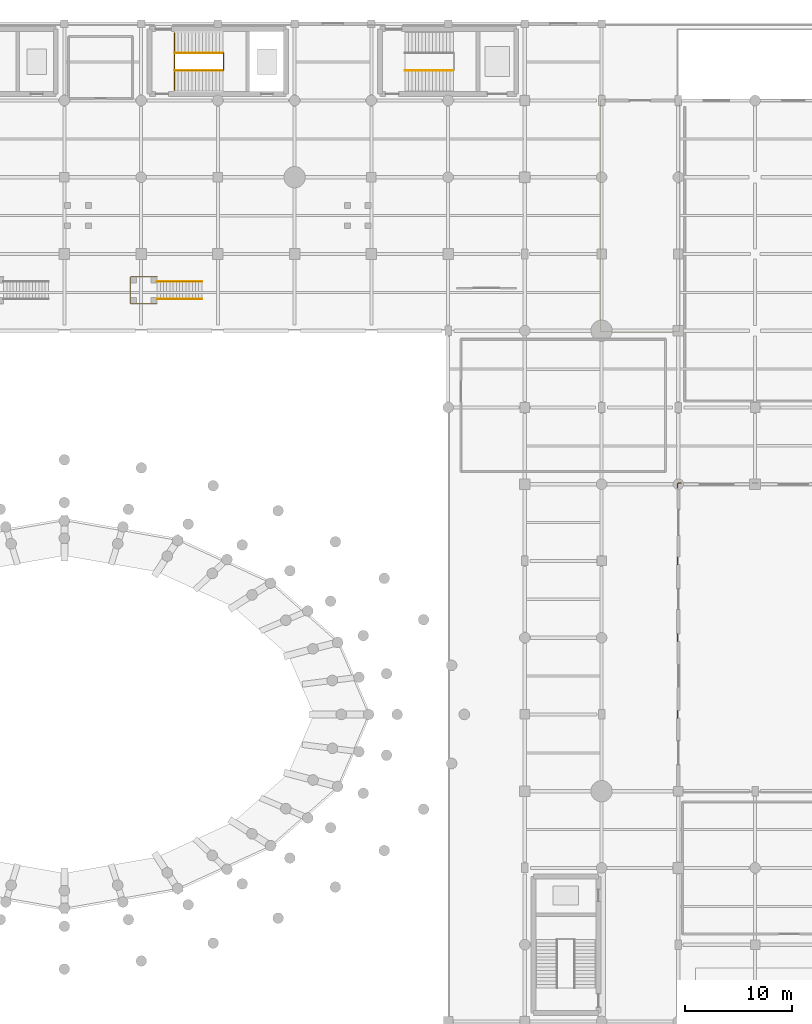
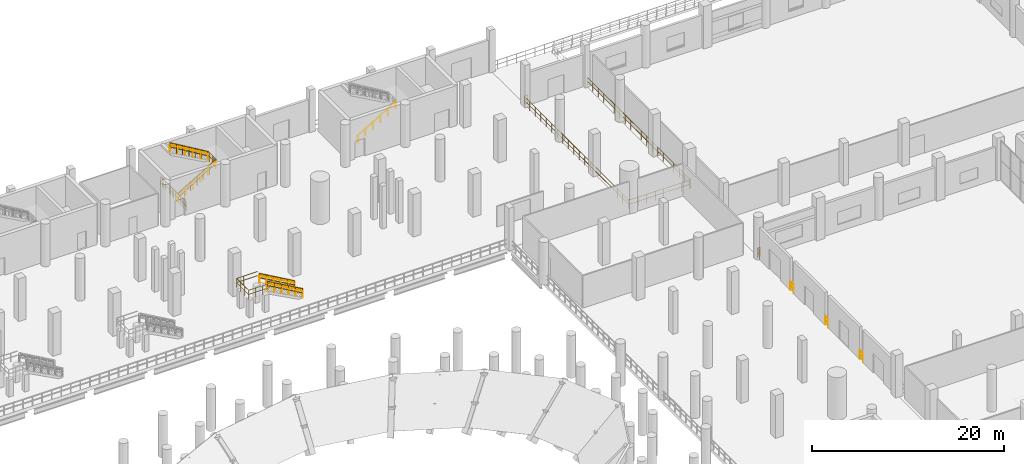
# One storey, part 51 of 58: 17 railings.
"""IFC4 building model written with IfcOpenShell, lengths in metres."""

from ifc_helpers import new_model, si_unit, direction, frame, origin, origin_2d, place, context, subcontext, project, spatial, circle, extrude, material, type_object, element, save


model = new_model("IFC4")

# Units and contexts
model_context = context("Model", 3, precision=1e-05, world=origin(), true_north=direction((0.0, 1.0)))
body_context = subcontext(model_context, "Body", "Model", "MODEL_VIEW")
ifc_project = project(units=[si_unit("LENGTHUNIT", "METRE"), si_unit("AREAUNIT", "SQUARE_METRE"), si_unit("VOLUMEUNIT", "CUBIC_METRE"), si_unit("PLANEANGLEUNIT", "RADIAN"), si_unit("MASSUNIT", "GRAM", prefix="KILO")], contexts=[model_context])

# Site, building, storey
site_placement = place(None, origin())
site = spatial("IfcSite", under=ifc_project, at=site_placement, CompositionType="ELEMENT")
building_placement = place(site_placement, origin())
building = spatial("IfcBuilding", under=site, at=building_placement, Name="Qandorah Velis Arena", CompositionType="ELEMENT")
storey_placement = place(building_placement, origin())
storey = spatial("IfcBuildingStorey", under=building, at=storey_placement, Name="L00", CompositionType="ELEMENT", Elevation=0.0)

# Railings
ifc_material = material(Name="Stainless steel 316", Category="steel")
railing_type_1 = type_object("IfcRailingType", Name="ARC-RL-GRD1150", PredefinedType="GUARDRAIL", material=ifc_material)
railing_1_placement = place(storey_placement, frame((75.110107421875, 123.360107421875, 0.0)))
element("IfcRailing", 1, at=railing_1_placement, inside=storey, type_object=railing_type_1, Name="Stair ST4 landing well-slot guardrail L00", PredefinedType="GUARDRAIL", context=body_context, shape_type="SweptSolid", body=[
    extrude(circle(Radius=0.02392578125, at=origin_2d()), frame((0.0, 0.0, 1.1259765625), z_axis=(0.0, 1.0, 0.0), x_axis=(-1.0, 0.0, 0.0)), (0.0, 0.0, 1.0), 5.3798828125),
    extrude(circle(Radius=0.02392578125, at=origin_2d()), frame((0.0, 0.0, 0.597900390625), z_axis=(0.0, 1.0, 0.0), x_axis=(-1.0, 0.0, 0.0)), (0.0, 0.0, 1.0), 5.3798828125),
    extrude(circle(Radius=0.02099609375, at=origin_2d()), origin(), (0.0, 0.0, 1.0), 1.101806640625),
    extrude(circle(Radius=0.02099609375, at=origin_2d()), frame((0.0, 0.298828125, 0.0)), (0.0, 0.0, 1.0), 1.101806640625),
    extrude(circle(Radius=0.02099609375, at=origin_2d()), frame((0.0, 0.59765625, 0.0)), (0.0, 0.0, 1.0), 1.101806640625),
    extrude(circle(Radius=0.02099609375, at=origin_2d()), frame((0.0, 0.896728515625, 0.0)), (0.0, 0.0, 1.0), 1.101806640625),
    extrude(circle(Radius=0.02099609375, at=origin_2d()), frame((0.0, 1.195556640625, 0.0)), (0.0, 0.0, 1.0), 1.101806640625),
    extrude(circle(Radius=0.02099609375, at=origin_2d()), frame((0.0, 1.494384765625, 0.0)), (0.0, 0.0, 1.0), 1.101806640625),
    extrude(circle(Radius=0.02099609375, at=origin_2d()), frame((0.0, 1.793212890625, 0.0)), (0.0, 0.0, 1.0), 1.101806640625),
    extrude(circle(Radius=0.02099609375, at=origin_2d()), frame((0.0, 2.09228515625, 0.0)), (0.0, 0.0, 1.0), 1.101806640625),
    extrude(circle(Radius=0.02099609375, at=origin_2d()), frame((0.0, 2.39111328125, 0.0)), (0.0, 0.0, 1.0), 1.101806640625),
    extrude(circle(Radius=0.02099609375, at=origin_2d()), frame((0.0, 2.68994140625, 0.0)), (0.0, 0.0, 1.0), 1.101806640625),
    extrude(circle(Radius=0.02099609375, at=origin_2d()), frame((0.0, 2.98876953125, 0.0)), (0.0, 0.0, 1.0), 1.101806640625),
    extrude(circle(Radius=0.02099609375, at=origin_2d()), frame((0.0, 3.28759765625, 0.0)), (0.0, 0.0, 1.0), 1.101806640625),
    extrude(circle(Radius=0.02099609375, at=origin_2d()), frame((0.0, 3.586669921875, 0.0)), (0.0, 0.0, 1.0), 1.101806640625),
    extrude(circle(Radius=0.02099609375, at=origin_2d()), frame((0.0, 3.885498046875, 0.0)), (0.0, 0.0, 1.0), 1.101806640625),
    extrude(circle(Radius=0.02099609375, at=origin_2d()), frame((0.0, 4.184326171875, 0.0)), (0.0, 0.0, 1.0), 1.101806640625),
    extrude(circle(Radius=0.02099609375, at=origin_2d()), frame((0.0, 4.483154296875, 0.0)), (0.0, 0.0, 1.0), 1.101806640625),
    extrude(circle(Radius=0.02099609375, at=origin_2d()), frame((0.0, 4.7822265625, 0.0)), (0.0, 0.0, 1.0), 1.101806640625),
    extrude(circle(Radius=0.02099609375, at=origin_2d()), frame((0.0, 5.0810546875, 0.0)), (0.0, 0.0, 1.0), 1.101806640625),
    extrude(circle(Radius=0.02099609375, at=origin_2d()), frame((0.0, 5.3798828125, 0.0)), (0.0, 0.0, 1.0), 1.101806640625),
])
railing_2_placement = place(storey_placement, frame((79.74609375, 125.239990234375, 2.699951171875)))
element("IfcRailing", 2, at=railing_2_placement, inside=storey, type_object=railing_type_1, Name="Stair ST4 well guardrail (L00)", PredefinedType="GUARDRAIL", context=body_context, shape_type="SweptSolid", body=[
    extrude(circle(Radius=0.02392578125, at=origin_2d()), frame((0.0, 0.0, 1.1259765625), z_axis=(0.0, 1.0, 0.0), x_axis=(-1.0, 0.0, 0.0)), (0.0, 0.0, 1.0), 1.6201171875),
    extrude(circle(Radius=0.02392578125, at=origin_2d()), frame((0.0, 0.0, 0.597900390625), z_axis=(0.0, 1.0, 0.0), x_axis=(-1.0, 0.0, 0.0)), (0.0, 0.0, 1.0), 1.6201171875),
    extrude(circle(Radius=0.02099609375, at=origin_2d()), origin(), (0.0, 0.0, 1.0), 1.101806640625),
    extrude(circle(Radius=0.02099609375, at=origin_2d()), frame((0.0, 0.27001953125, 0.0)), (0.0, 0.0, 1.0), 1.101806640625),
    extrude(circle(Radius=0.02099609375, at=origin_2d()), frame((0.0, 0.5400390625, 0.0)), (0.0, 0.0, 1.0), 1.101806640625),
    extrude(circle(Radius=0.02099609375, at=origin_2d()), frame((0.0, 0.81005859375, 0.0)), (0.0, 0.0, 1.0), 1.101806640625),
    extrude(circle(Radius=0.02099609375, at=origin_2d()), frame((0.0, 1.080078125, 0.0)), (0.0, 0.0, 1.0), 1.101806640625),
    extrude(circle(Radius=0.02099609375, at=origin_2d()), frame((0.0, 1.35009765625, 0.0)), (0.0, 0.0, 1.0), 1.101806640625),
    extrude(circle(Radius=0.02099609375, at=origin_2d()), frame((0.0, 1.6201171875, 0.0)), (0.0, 0.0, 1.0), 1.101806640625),
])
railing_3_placement = place(storey_placement, frame((75.14990234375, 125.22998046875, 0.0)))
element("IfcRailing", 3, at=railing_3_placement, inside=storey, type_object=railing_type_1, Name="Stair ST4 inner flight 1 guardrail (L00)", PredefinedType="GUARDRAIL", context=body_context, shape_type="SweptSolid", body=[
    extrude(circle(Radius=0.02392578125, at=origin_2d()), frame((0.0, 0.0, 1.1259765625), z_axis=(0.859303531718, 0.0, 0.511465971866), x_axis=(0.0, 1.0, 0.0)), (0.0, 0.0, 1.0), 5.27880859375),
    extrude(circle(Radius=0.02392578125, at=origin_2d()), frame((0.0, 0.0, 0.597900390625), z_axis=(0.859303531718, 0.0, 0.511465971866), x_axis=(0.0, 1.0, 0.0)), (0.0, 0.0, 1.0), 5.27880859375),
    extrude(circle(Radius=0.02099609375, at=origin_2d()), origin(), (0.0, 0.0, 1.0), 1.101806640625),
    extrude(circle(Radius=0.02099609375, at=origin_2d()), frame((0.756103515625, 0.0, 0.449951171875)), (0.0, 0.0, 1.0), 1.101806640625),
    extrude(circle(Radius=0.02099609375, at=origin_2d()), frame((1.511962890625, 0.0, 0.89990234375)), (0.0, 0.0, 1.0), 1.101806640625),
    extrude(circle(Radius=0.02099609375, at=origin_2d()), frame((2.26806640625, 0.0, 1.35009765625)), (0.0, 0.0, 1.0), 1.101806640625),
    extrude(circle(Radius=0.02099609375, at=origin_2d()), frame((3.024169921875, 0.0, 1.800048828125)), (0.0, 0.0, 1.0), 1.101806640625),
    extrude(circle(Radius=0.02099609375, at=origin_2d()), frame((3.780029296875, 0.0, 2.25)), (0.0, 0.0, 1.0), 1.101806640625),
    extrude(circle(Radius=0.02099609375, at=origin_2d()), frame((4.5361328125, 0.0, 2.699951171875)), (0.0, 0.0, 1.0), 1.101806640625),
])
railing_4_placement = place(storey_placement, frame((79.68603515625, 126.8701171875, 2.699951171875)))
element("IfcRailing", 4, at=railing_4_placement, inside=storey, type_object=railing_type_1, Name="Stair ST4 inner flight 2 guardrail (L00)", PredefinedType="GUARDRAIL", context=body_context, shape_type="SweptSolid", body=[
    extrude(circle(Radius=0.02392578125, at=origin_2d()), frame((0.0, 0.0, 1.1259765625), z_axis=(-0.859303531718, 0.0, 0.511465971866), x_axis=(0.0, -1.0, 0.0)), (0.0, 0.0, 1.0), 5.27880859375),
    extrude(circle(Radius=0.02392578125, at=origin_2d()), frame((0.0, 0.0, 0.597900390625), z_axis=(-0.859303531718, 0.0, 0.511465971866), x_axis=(0.0, -1.0, 0.0)), (0.0, 0.0, 1.0), 5.27880859375),
    extrude(circle(Radius=0.02099609375, at=origin_2d()), origin(), (0.0, 0.0, 1.0), 1.101806640625),
    extrude(circle(Radius=0.02099609375, at=origin_2d()), frame((-0.756103515625, 0.0, 0.449951171875)), (0.0, 0.0, 1.0), 1.101806640625),
    extrude(circle(Radius=0.02099609375, at=origin_2d()), frame((-1.511962890625, 0.0, 0.89990234375)), (0.0, 0.0, 1.0), 1.101806640625),
    extrude(circle(Radius=0.02099609375, at=origin_2d()), frame((-2.26806640625, 0.0, 1.35009765625)), (0.0, 0.0, 1.0), 1.101806640625),
    extrude(circle(Radius=0.02099609375, at=origin_2d()), frame((-3.024169921875, 0.0, 1.800048828125)), (0.0, 0.0, 1.0), 1.101806640625),
    extrude(circle(Radius=0.02099609375, at=origin_2d()), frame((-3.780029296875, 0.0, 2.25)), (0.0, 0.0, 1.0), 1.101806640625),
    extrude(circle(Radius=0.02099609375, at=origin_2d()), frame((-4.5361328125, 0.0, 2.699951171875)), (0.0, 0.0, 1.0), 1.101806640625),
])
for number, where, name in (
    (5, (77.699951171875, 103.780029296875, 0.0), "Vomitory VS6 left guard (L00)"),
    (6, (77.699951171875, 105.419921875, 0.0), "Vomitory VS6 right guard (L00)"),
):
    element("IfcRailing", number, at=place(storey_placement, frame(where)), inside=storey, type_object=railing_type_1, Name=name, PredefinedType="GUARDRAIL", context=body_context, shape_type="SweptSolid", body=[
        extrude(circle(Radius=0.02392578125, at=origin_2d()), frame((0.0, 0.0, 1.1259765625), z_axis=(-0.868249353848, 0.0, 0.496128067682), x_axis=(0.0, -1.0, 0.0)), (0.0, 0.0, 1.0), 4.837158203125),
        extrude(circle(Radius=0.02392578125, at=origin_2d()), frame((0.0, 0.0, 0.597900390625), z_axis=(-0.868249353848, 0.0, 0.496128067682), x_axis=(0.0, -1.0, 0.0)), (0.0, 0.0, 1.0), 4.837158203125),
        extrude(circle(Radius=0.02099609375, at=origin_2d()), origin(), (0.0, 0.0, 1.0), 1.101806640625),
        extrude(circle(Radius=0.02099609375, at=origin_2d()), frame((-0.840087890625, 0.0, 0.47998046875)), (0.0, 0.0, 1.0), 1.101806640625),
        extrude(circle(Radius=0.02099609375, at=origin_2d()), frame((-1.679931640625, 0.0, 0.9599609375)), (0.0, 0.0, 1.0), 1.101806640625),
        extrude(circle(Radius=0.02099609375, at=origin_2d()), frame((-2.52001953125, 0.0, 1.43994140625)), (0.0, 0.0, 1.0), 1.101806640625),
        extrude(circle(Radius=0.02099609375, at=origin_2d()), frame((-3.35986328125, 0.0, 1.919921875)), (0.0, 0.0, 1.0), 1.101806640625),
        extrude(circle(Radius=0.02099609375, at=origin_2d()), frame((-4.199951171875, 0.0, 2.39990234375)), (0.0, 0.0, 1.0), 1.101806640625),
    ])
railing_5_placement = place(storey_placement, frame((73.5, 105.85009765625, 2.39990234375)))
element("IfcRailing", 7, at=railing_5_placement, inside=storey, type_object=railing_type_1, Name="Vomitory VS6 landing guardrail (L00)", PredefinedType="GUARDRAIL", context=body_context, shape_type="SweptSolid", body=[
    extrude(circle(Radius=0.02392578125, at=origin_2d()), frame((0.0, 0.0, 1.1259765625), z_axis=(-1.0, 0.0, 0.0), x_axis=(0.0, -1.0, 0.0)), (0.0, 0.0, 1.0), 2.5),
    extrude(circle(Radius=0.02392578125, at=origin_2d()), frame((0.0, 0.0, 0.597900390625), z_axis=(-1.0, 0.0, 0.0), x_axis=(0.0, -1.0, 0.0)), (0.0, 0.0, 1.0), 2.5),
    extrude(circle(Radius=0.02392578125, at=origin_2d()), frame((-2.5, 0.0, 1.1259765625), z_axis=(0.0, -1.0, 0.0), x_axis=(1.0, 0.0, 0.0)), (0.0, 0.0, 1.0), 2.5),
    extrude(circle(Radius=0.02392578125, at=origin_2d()), frame((-2.5, 0.0, 0.597900390625), z_axis=(0.0, -1.0, 0.0), x_axis=(1.0, 0.0, 0.0)), (0.0, 0.0, 1.0), 2.5),
    extrude(circle(Radius=0.02392578125, at=origin_2d()), frame((-2.5, -2.5, 1.1259765625), z_axis=(1.0, 0.0, 0.0), x_axis=(0.0, 1.0, 0.0)), (0.0, 0.0, 1.0), 2.5),
    extrude(circle(Radius=0.02392578125, at=origin_2d()), frame((-2.5, -2.5, 0.597900390625), z_axis=(1.0, 0.0, 0.0), x_axis=(0.0, 1.0, 0.0)), (0.0, 0.0, 1.0), 2.5),
    extrude(circle(Radius=0.02099609375, at=origin_2d()), origin(), (0.0, 0.0, 1.0), 1.101806640625),
    extrude(circle(Radius=0.02099609375, at=origin_2d()), frame((-0.833251953125, 0.0, 0.0)), (0.0, 0.0, 1.0), 1.101806640625),
    extrude(circle(Radius=0.02099609375, at=origin_2d()), frame((-1.666748046875, 0.0, 0.0)), (0.0, 0.0, 1.0), 1.101806640625),
    extrude(circle(Radius=0.02099609375, at=origin_2d()), frame((-2.5, 0.0, 0.0)), (0.0, 0.0, 1.0), 1.101806640625),
    extrude(circle(Radius=0.02099609375, at=origin_2d()), frame((-2.5, -0.833251953125, 0.0)), (0.0, 0.0, 1.0), 1.101806640625),
    extrude(circle(Radius=0.02099609375, at=origin_2d()), frame((-2.5, -1.666748046875, 0.0)), (0.0, 0.0, 1.0), 1.101806640625),
    extrude(circle(Radius=0.02099609375, at=origin_2d()), frame((-2.5, -2.5, 0.0)), (0.0, 0.0, 1.0), 1.101806640625),
    extrude(circle(Radius=0.02099609375, at=origin_2d()), frame((-1.666748046875, -2.5, 0.0)), (0.0, 0.0, 1.0), 1.101806640625),
    extrude(circle(Radius=0.02099609375, at=origin_2d()), frame((-0.833251953125, -2.5, 0.0)), (0.0, 0.0, 1.0), 1.101806640625),
    extrude(circle(Radius=0.02099609375, at=origin_2d()), frame((0.0, -2.5, 0.0)), (0.0, 0.0, 1.0), 1.101806640625),
])
railing_6_placement = place(storey_placement, frame((115.550048828125, 122.5, 0.0)))
element("IfcRailing", 8, at=railing_6_placement, inside=storey, type_object=railing_type_1, Name="Slab edge safety guardrail L00-050", PredefinedType="GUARDRAIL", context=body_context, shape_type="SweptSolid", body=[
    extrude(circle(Radius=0.02392578125, at=origin_2d()), frame((0.0, 0.0, 1.1259765625), z_axis=(-1.0, 0.0, 0.0), x_axis=(0.0, -1.0, 0.0)), (0.0, 0.0, 1.0), 0.35009765625),
    extrude(circle(Radius=0.02392578125, at=origin_2d()), frame((0.0, 0.0, 0.597900390625), z_axis=(-1.0, 0.0, 0.0), x_axis=(0.0, -1.0, 0.0)), (0.0, 0.0, 1.0), 0.35009765625),
    extrude(circle(Radius=0.02392578125, at=origin_2d()), frame((-0.35009765625, 0.0, 1.1259765625), z_axis=(-0.772928297309, -0.634493378388, 0.0), x_axis=(0.634493378388, -0.772928297309, 0.0)), (0.0, 0.0, 1.0), 0.126953125),
    extrude(circle(Radius=0.02392578125, at=origin_2d()), frame((-0.35009765625, 0.0, 0.597900390625), z_axis=(-0.772928297309, -0.634493378388, 0.0), x_axis=(0.634493378388, -0.772928297309, 0.0)), (0.0, 0.0, 1.0), 0.126953125),
    extrude(circle(Radius=0.02392578125, at=origin_2d()), frame((-0.4482421875, -0.08056640625, 1.1259765625), z_axis=(-7.9048705e-05, -0.999999996876, 0.0), x_axis=(0.999999996876, -7.9048705e-05, 0.0)), (0.0, 0.0, 1.0), 21.619384765625),
    extrude(circle(Radius=0.02392578125, at=origin_2d()), frame((-0.4482421875, -0.08056640625, 0.597900390625), z_axis=(-7.9048705e-05, -0.999999996876, 0.0), x_axis=(0.999999996876, -7.9048705e-05, 0.0)), (0.0, 0.0, 1.0), 21.619384765625),
    extrude(circle(Radius=0.02392578125, at=origin_2d()), frame((-0.449951171875, -21.699951171875, 1.1259765625), z_axis=(0.633342614097, -0.773871522392, 0.0), x_axis=(0.773871522392, 0.633342614097, 0.0)), (0.0, 0.0, 1.0), 0.126708984375),
    extrude(circle(Radius=0.02392578125, at=origin_2d()), frame((-0.449951171875, -21.699951171875, 0.597900390625), z_axis=(0.633342614097, -0.773871522392, 0.0), x_axis=(0.773871522392, 0.633342614097, 0.0)), (0.0, 0.0, 1.0), 0.126708984375),
    extrude(circle(Radius=0.02392578125, at=origin_2d()), frame((-0.36962890625, -21.798095703125, 1.1259765625), z_axis=(0.999999963405, -0.000270535312, 0.0), x_axis=(0.000270535312, 0.999999963405, 0.0)), (0.0, 0.0, 1.0), 7.219482421875),
    extrude(circle(Radius=0.02392578125, at=origin_2d()), frame((-0.36962890625, -21.798095703125, 0.597900390625), z_axis=(0.999999963405, -0.000270535312, 0.0), x_axis=(0.000270535312, 0.999999963405, 0.0)), (0.0, 0.0, 1.0), 7.219482421875),
    extrude(circle(Radius=0.02392578125, at=origin_2d()), frame((6.849853515625, -21.800048828125, 1.1259765625), z_axis=(0.772928297309, 0.634493378388, 0.0), x_axis=(-0.634493378388, 0.772928297309, 0.0)), (0.0, 0.0, 1.0), 0.126953125),
    extrude(circle(Radius=0.02392578125, at=origin_2d()), frame((6.849853515625, -21.800048828125, 0.597900390625), z_axis=(0.772928297309, 0.634493378388, 0.0), x_axis=(-0.634493378388, 0.772928297309, 0.0)), (0.0, 0.0, 1.0), 0.126953125),
    extrude(circle(Radius=0.02392578125, at=origin_2d()), frame((6.947998046875, -21.719482421875, 1.1259765625), z_axis=(9.1398279e-05, 0.999999995823, 0.0), x_axis=(-0.999999995823, 9.1398279e-05, 0.0)), (0.0, 0.0, 1.0), 21.369384765625),
    extrude(circle(Radius=0.02392578125, at=origin_2d()), frame((6.947998046875, -21.719482421875, 0.597900390625), z_axis=(9.1398279e-05, 0.999999995823, 0.0), x_axis=(-0.999999995823, 9.1398279e-05, 0.0)), (0.0, 0.0, 1.0), 21.369384765625),
    extrude(circle(Radius=0.02099609375, at=origin_2d()), origin(), (0.0, 0.0, 1.0), 1.101806640625),
    extrude(circle(Radius=0.02099609375, at=origin_2d()), frame((-0.35009765625, 0.0, 0.0)), (0.0, 0.0, 1.0), 1.101806640625),
    extrude(circle(Radius=0.02099609375, at=origin_2d()), frame((-0.4482421875, -0.08056640625, 0.0)), (0.0, 0.0, 1.0), 1.101806640625),
    extrude(circle(Radius=0.02099609375, at=origin_2d()), frame((-0.4482421875, -1.218505859375, 0.0)), (0.0, 0.0, 1.0), 1.101806640625),
    extrude(circle(Radius=0.02099609375, at=origin_2d()), frame((-0.448486328125, -2.356201171875, 0.0)), (0.0, 0.0, 1.0), 1.101806640625),
    extrude(circle(Radius=0.02099609375, at=origin_2d()), frame((-0.448486328125, -3.494140625, 0.0)), (0.0, 0.0, 1.0), 1.101806640625),
    extrude(circle(Radius=0.02099609375, at=origin_2d()), frame((-0.448486328125, -4.632080078125, 0.0)), (0.0, 0.0, 1.0), 1.101806640625),
    extrude(circle(Radius=0.02099609375, at=origin_2d()), frame((-0.44873046875, -5.769775390625, 0.0)), (0.0, 0.0, 1.0), 1.101806640625),
    extrude(circle(Radius=0.02099609375, at=origin_2d()), frame((-0.44873046875, -6.90771484375, 0.0)), (0.0, 0.0, 1.0), 1.101806640625),
    extrude(circle(Radius=0.02099609375, at=origin_2d()), frame((-0.448974609375, -8.045654296875, 0.0)), (0.0, 0.0, 1.0), 1.101806640625),
    extrude(circle(Radius=0.02099609375, at=origin_2d()), frame((-0.448974609375, -9.183349609375, 0.0)), (0.0, 0.0, 1.0), 1.101806640625),
    extrude(circle(Radius=0.02099609375, at=origin_2d()), frame((-0.448974609375, -10.3212890625, 0.0)), (0.0, 0.0, 1.0), 1.101806640625),
    extrude(circle(Radius=0.02099609375, at=origin_2d()), frame((-0.44921875, -11.459228515625, 0.0)), (0.0, 0.0, 1.0), 1.101806640625),
    extrude(circle(Radius=0.02099609375, at=origin_2d()), frame((-0.44921875, -12.59716796875, 0.0)), (0.0, 0.0, 1.0), 1.101806640625),
    extrude(circle(Radius=0.02099609375, at=origin_2d()), frame((-0.44921875, -13.73486328125, 0.0)), (0.0, 0.0, 1.0), 1.101806640625),
    extrude(circle(Radius=0.02099609375, at=origin_2d()), frame((-0.449462890625, -14.872802734375, 0.0)), (0.0, 0.0, 1.0), 1.101806640625),
    extrude(circle(Radius=0.02099609375, at=origin_2d()), frame((-0.449462890625, -16.0107421875, 0.0)), (0.0, 0.0, 1.0), 1.101806640625),
    extrude(circle(Radius=0.02099609375, at=origin_2d()), frame((-0.44970703125, -17.1484375, 0.0)), (0.0, 0.0, 1.0), 1.101806640625),
    extrude(circle(Radius=0.02099609375, at=origin_2d()), frame((-0.44970703125, -18.286376953125, 0.0)), (0.0, 0.0, 1.0), 1.101806640625),
    extrude(circle(Radius=0.02099609375, at=origin_2d()), frame((-0.44970703125, -19.42431640625, 0.0)), (0.0, 0.0, 1.0), 1.101806640625),
    extrude(circle(Radius=0.02099609375, at=origin_2d()), frame((-0.449951171875, -20.56201171875, 0.0)), (0.0, 0.0, 1.0), 1.101806640625),
    extrude(circle(Radius=0.02099609375, at=origin_2d()), frame((-0.449951171875, -21.699951171875, 0.0)), (0.0, 0.0, 1.0), 1.101806640625),
    extrude(circle(Radius=0.02099609375, at=origin_2d()), frame((-0.36962890625, -21.798095703125, 0.0)), (0.0, 0.0, 1.0), 1.101806640625),
    extrude(circle(Radius=0.02099609375, at=origin_2d()), frame((0.66162109375, -21.79833984375, 0.0)), (0.0, 0.0, 1.0), 1.101806640625),
    extrude(circle(Radius=0.02099609375, at=origin_2d()), frame((1.693115234375, -21.798583984375, 0.0)), (0.0, 0.0, 1.0), 1.101806640625),
    extrude(circle(Radius=0.02099609375, at=origin_2d()), frame((2.724365234375, -21.798828125, 0.0)), (0.0, 0.0, 1.0), 1.101806640625),
    extrude(circle(Radius=0.02099609375, at=origin_2d()), frame((3.755859375, -21.79931640625, 0.0)), (0.0, 0.0, 1.0), 1.101806640625),
    extrude(circle(Radius=0.02099609375, at=origin_2d()), frame((4.787109375, -21.799560546875, 0.0)), (0.0, 0.0, 1.0), 1.101806640625),
    extrude(circle(Radius=0.02099609375, at=origin_2d()), frame((5.818603515625, -21.7998046875, 0.0)), (0.0, 0.0, 1.0), 1.101806640625),
    extrude(circle(Radius=0.02099609375, at=origin_2d()), frame((6.849853515625, -21.800048828125, 0.0)), (0.0, 0.0, 1.0), 1.101806640625),
    extrude(circle(Radius=0.02099609375, at=origin_2d()), frame((6.947998046875, -21.719482421875, 0.0)), (0.0, 0.0, 1.0), 1.101806640625),
    extrude(circle(Radius=0.02099609375, at=origin_2d()), frame((6.947998046875, -20.5947265625, 0.0)), (0.0, 0.0, 1.0), 1.101806640625),
    extrude(circle(Radius=0.02099609375, at=origin_2d()), frame((6.9482421875, -19.469970703125, 0.0)), (0.0, 0.0, 1.0), 1.101806640625),
    extrude(circle(Radius=0.02099609375, at=origin_2d()), frame((6.9482421875, -18.345458984375, 0.0)), (0.0, 0.0, 1.0), 1.101806640625),
    extrude(circle(Radius=0.02099609375, at=origin_2d()), frame((6.948486328125, -17.220703125, 0.0)), (0.0, 0.0, 1.0), 1.101806640625),
    extrude(circle(Radius=0.02099609375, at=origin_2d()), frame((6.948486328125, -16.095947265625, 0.0)), (0.0, 0.0, 1.0), 1.101806640625),
    extrude(circle(Radius=0.02099609375, at=origin_2d()), frame((6.94873046875, -14.97119140625, 0.0)), (0.0, 0.0, 1.0), 1.101806640625),
    extrude(circle(Radius=0.02099609375, at=origin_2d()), frame((6.94873046875, -13.846435546875, 0.0)), (0.0, 0.0, 1.0), 1.101806640625),
    extrude(circle(Radius=0.02099609375, at=origin_2d()), frame((6.94873046875, -12.721923828125, 0.0)), (0.0, 0.0, 1.0), 1.101806640625),
    extrude(circle(Radius=0.02099609375, at=origin_2d()), frame((6.948974609375, -11.59716796875, 0.0)), (0.0, 0.0, 1.0), 1.101806640625),
    extrude(circle(Radius=0.02099609375, at=origin_2d()), frame((6.948974609375, -10.472412109375, 0.0)), (0.0, 0.0, 1.0), 1.101806640625),
    extrude(circle(Radius=0.02099609375, at=origin_2d()), frame((6.94921875, -9.34765625, 0.0)), (0.0, 0.0, 1.0), 1.101806640625),
    extrude(circle(Radius=0.02099609375, at=origin_2d()), frame((6.94921875, -8.22314453125, 0.0)), (0.0, 0.0, 1.0), 1.101806640625),
    extrude(circle(Radius=0.02099609375, at=origin_2d()), frame((6.94921875, -7.098388671875, 0.0)), (0.0, 0.0, 1.0), 1.101806640625),
    extrude(circle(Radius=0.02099609375, at=origin_2d()), frame((6.949462890625, -5.9736328125, 0.0)), (0.0, 0.0, 1.0), 1.101806640625),
    extrude(circle(Radius=0.02099609375, at=origin_2d()), frame((6.949462890625, -4.848876953125, 0.0)), (0.0, 0.0, 1.0), 1.101806640625),
    extrude(circle(Radius=0.02099609375, at=origin_2d()), frame((6.94970703125, -3.72412109375, 0.0)), (0.0, 0.0, 1.0), 1.101806640625),
    extrude(circle(Radius=0.02099609375, at=origin_2d()), frame((6.94970703125, -2.599609375, 0.0)), (0.0, 0.0, 1.0), 1.101806640625),
    extrude(circle(Radius=0.02099609375, at=origin_2d()), frame((6.949951171875, -1.474853515625, 0.0)), (0.0, 0.0, 1.0), 1.101806640625),
    extrude(circle(Radius=0.02099609375, at=origin_2d()), frame((6.949951171875, -0.35009765625, 0.0)), (0.0, 0.0, 1.0), 1.101806640625),
])
railing_7_placement = place(storey_placement, frame((122.64990234375, 86.5, 0.0)))
element("IfcRailing", 9, at=railing_7_placement, inside=storey, type_object=railing_type_1, Name="Slab edge safety guardrail L00-077", PredefinedType="GUARDRAIL", context=body_context, shape_type="SweptSolid", body=[
    extrude(circle(Radius=0.02392578125, at=origin_2d()), frame((0.0, 0.0, 1.1259765625), z_axis=(-1.0, 0.0, 0.0), x_axis=(0.0, -1.0, 0.0)), (0.0, 0.0, 1.0), 0.25),
    extrude(circle(Radius=0.02392578125, at=origin_2d()), frame((0.0, 0.0, 0.597900390625), z_axis=(-1.0, 0.0, 0.0), x_axis=(0.0, -1.0, 0.0)), (0.0, 0.0, 1.0), 0.25),
    extrude(circle(Radius=0.02392578125, at=origin_2d()), frame((-0.25, 0.0, 1.1259765625), z_axis=(-0.77215252196, -0.635437237523, 0.0), x_axis=(0.635437237523, -0.77215252196, 0.0)), (0.0, 0.0, 1.0), 0.126708984375),
    extrude(circle(Radius=0.02392578125, at=origin_2d()), frame((-0.25, 0.0, 0.597900390625), z_axis=(-0.77215252196, -0.635437237523, 0.0), x_axis=(0.635437237523, -0.77215252196, 0.0)), (0.0, 0.0, 1.0), 0.126708984375),
    extrude(circle(Radius=0.02392578125, at=origin_2d()), frame((-0.347900390625, -0.08056640625, 1.1259765625), z_axis=(-0.00528743435, -0.999986021421, 0.0), x_axis=(0.999986021421, -0.00528743435, 0.0)), (0.0, 0.0, 1.0), 0.369384765625),
    extrude(circle(Radius=0.02392578125, at=origin_2d()), frame((-0.347900390625, -0.08056640625, 0.597900390625), z_axis=(-0.00528743435, -0.999986021421, 0.0), x_axis=(0.999986021421, -0.00528743435, 0.0)), (0.0, 0.0, 1.0), 0.369384765625),
    extrude(circle(Radius=0.02099609375, at=origin_2d()), origin(), (0.0, 0.0, 1.0), 1.101806640625),
    extrude(circle(Radius=0.02099609375, at=origin_2d()), frame((-0.25, 0.0, 0.0)), (0.0, 0.0, 1.0), 1.101806640625),
    extrude(circle(Radius=0.02099609375, at=origin_2d()), frame((-0.347900390625, -0.08056640625, 0.0)), (0.0, 0.0, 1.0), 1.101806640625),
    extrude(circle(Radius=0.02099609375, at=origin_2d()), frame((-0.349853515625, -0.449951171875, 0.0)), (0.0, 0.0, 1.0), 1.101806640625),
])
railing_8_placement = place(storey_placement, frame((122.300048828125, 79.550048828125, 0.0)))
element("IfcRailing", 10, at=railing_8_placement, inside=storey, type_object=railing_type_1, Name="Slab edge safety guardrail L00-078", PredefinedType="GUARDRAIL", context=body_context, shape_type="SweptSolid", body=[
    extrude(circle(Radius=0.02392578125, at=origin_2d()), frame((0.0, 0.0, 1.1259765625), z_axis=(0.0, -1.0, 0.0), x_axis=(1.0, 0.0, 0.0)), (0.0, 0.0, 1.0), 0.699951171875),
    extrude(circle(Radius=0.02392578125, at=origin_2d()), frame((0.0, 0.0, 0.597900390625), z_axis=(0.0, -1.0, 0.0), x_axis=(1.0, 0.0, 0.0)), (0.0, 0.0, 1.0), 0.699951171875),
    extrude(circle(Radius=0.02099609375, at=origin_2d()), origin(), (0.0, 0.0, 1.0), 1.101806640625),
    extrude(circle(Radius=0.02099609375, at=origin_2d()), frame((0.0, -0.699951171875, 0.0)), (0.0, 0.0, 1.0), 1.101806640625),
])
railing_9_placement = place(storey_placement, frame((122.300048828125, 72.35009765625, 0.0)))
element("IfcRailing", 11, at=railing_9_placement, inside=storey, type_object=railing_type_1, Name="Slab edge safety guardrail L00-079", PredefinedType="GUARDRAIL", context=body_context, shape_type="SweptSolid", body=[
    extrude(circle(Radius=0.02392578125, at=origin_2d()), frame((0.0, 0.0, 1.1259765625), z_axis=(0.0, -1.0, 0.0), x_axis=(1.0, 0.0, 0.0)), (0.0, 0.0, 1.0), 0.7001953125),
    extrude(circle(Radius=0.02392578125, at=origin_2d()), frame((0.0, 0.0, 0.597900390625), z_axis=(0.0, -1.0, 0.0), x_axis=(1.0, 0.0, 0.0)), (0.0, 0.0, 1.0), 0.7001953125),
    extrude(circle(Radius=0.02099609375, at=origin_2d()), origin(), (0.0, 0.0, 1.0), 1.101806640625),
    extrude(circle(Radius=0.02099609375, at=origin_2d()), frame((0.0, -0.7001953125, 0.0)), (0.0, 0.0, 1.0), 1.101806640625),
])
railing_10_placement = place(storey_placement, frame((122.300048828125, 65.14990234375, 0.0)))
element("IfcRailing", 12, at=railing_10_placement, inside=storey, type_object=railing_type_1, Name="Slab edge safety guardrail L00-080", PredefinedType="GUARDRAIL", context=body_context, shape_type="SweptSolid", body=[
    extrude(circle(Radius=0.02392578125, at=origin_2d()), frame((0.0, 0.0, 1.1259765625), z_axis=(0.0, -1.0, 0.0), x_axis=(1.0, 0.0, 0.0)), (0.0, 0.0, 1.0), 0.699951171875),
    extrude(circle(Radius=0.02392578125, at=origin_2d()), frame((0.0, 0.0, 0.597900390625), z_axis=(0.0, -1.0, 0.0), x_axis=(1.0, 0.0, 0.0)), (0.0, 0.0, 1.0), 0.699951171875),
    extrude(circle(Radius=0.02099609375, at=origin_2d()), origin(), (0.0, 0.0, 1.0), 1.101806640625),
    extrude(circle(Radius=0.02099609375, at=origin_2d()), frame((0.0, -0.699951171875, 0.0)), (0.0, 0.0, 1.0), 1.101806640625),
])
railing_type_2 = type_object("IfcRailingType", Name="ARC-RL-HND920", PredefinedType="HANDRAIL", material=ifc_material)
railing_11_placement = place(storey_placement, frame((75.14990234375, 125.22998046875, 0.0)))
element("IfcRailing", 13, at=railing_11_placement, inside=storey, type_object=railing_type_2, Name="Stair ST4 inner handrail 1 (L00)", PredefinedType="HANDRAIL", context=body_context, shape_type="SweptSolid", body=[
    extrude(circle(Radius=0.02392578125, at=origin_2d()), frame((0.0, 0.0, 0.89599609375), z_axis=(0.859303531718, 0.0, 0.511465971866), x_axis=(0.0, 1.0, 0.0)), (0.0, 0.0, 1.0), 5.27880859375),
    extrude(circle(Radius=0.02099609375, at=origin_2d()), origin(), (0.0, 0.0, 1.0), 0.871826171875),
    extrude(circle(Radius=0.02099609375, at=origin_2d()), frame((0.9072265625, 0.0, 0.5400390625)), (0.0, 0.0, 1.0), 0.871826171875),
    extrude(circle(Radius=0.02099609375, at=origin_2d()), frame((1.814453125, 0.0, 1.080078125)), (0.0, 0.0, 1.0), 0.871826171875),
    extrude(circle(Radius=0.02099609375, at=origin_2d()), frame((2.7216796875, 0.0, 1.619873046875)), (0.0, 0.0, 1.0), 0.871826171875),
    extrude(circle(Radius=0.02099609375, at=origin_2d()), frame((3.62890625, 0.0, 2.159912109375)), (0.0, 0.0, 1.0), 0.871826171875),
    extrude(circle(Radius=0.02099609375, at=origin_2d()), frame((4.5361328125, 0.0, 2.699951171875)), (0.0, 0.0, 1.0), 0.871826171875),
])
railing_12_placement = place(storey_placement, frame((79.68603515625, 126.8701171875, 2.699951171875)))
element("IfcRailing", 14, at=railing_12_placement, inside=storey, type_object=railing_type_2, Name="Stair ST4 inner handrail 2 (L00)", PredefinedType="HANDRAIL", context=body_context, shape_type="SweptSolid", body=[
    extrude(circle(Radius=0.02392578125, at=origin_2d()), frame((0.0, 0.0, 0.89599609375), z_axis=(-0.859303531718, 0.0, 0.511465971866), x_axis=(0.0, -1.0, 0.0)), (0.0, 0.0, 1.0), 5.27880859375),
    extrude(circle(Radius=0.02099609375, at=origin_2d()), origin(), (0.0, 0.0, 1.0), 0.871826171875),
    extrude(circle(Radius=0.02099609375, at=origin_2d()), frame((-0.9072265625, 0.0, 0.5400390625)), (0.0, 0.0, 1.0), 0.871826171875),
    extrude(circle(Radius=0.02099609375, at=origin_2d()), frame((-1.814453125, 0.0, 1.080078125)), (0.0, 0.0, 1.0), 0.871826171875),
    extrude(circle(Radius=0.02099609375, at=origin_2d()), frame((-2.7216796875, 0.0, 1.619873046875)), (0.0, 0.0, 1.0), 0.871826171875),
    extrude(circle(Radius=0.02099609375, at=origin_2d()), frame((-3.62890625, 0.0, 2.159912109375)), (0.0, 0.0, 1.0), 0.871826171875),
    extrude(circle(Radius=0.02099609375, at=origin_2d()), frame((-4.5361328125, 0.0, 2.699951171875)), (0.0, 0.0, 1.0), 0.871826171875),
])
railing_13_placement = place(storey_placement, frame((96.75, 125.22998046875, 0.0)))
element("IfcRailing", 15, at=railing_13_placement, inside=storey, type_object=railing_type_2, Name="Stair ST12 inner handrail 1 (L00)", PredefinedType="HANDRAIL", context=body_context, shape_type="SweptSolid", body=[
    extrude(circle(Radius=0.02392578125, at=origin_2d()), frame((0.0, 0.0, 0.89599609375), z_axis=(0.859291432417, 0.0, 0.511486299107), x_axis=(0.0, 1.0, 0.0)), (0.0, 0.0, 1.0), 5.278564453125),
    extrude(circle(Radius=0.02099609375, at=origin_2d()), origin(), (0.0, 0.0, 1.0), 0.871826171875),
    extrude(circle(Radius=0.02099609375, at=origin_2d()), frame((0.9072265625, 0.0, 0.5400390625)), (0.0, 0.0, 1.0), 0.871826171875),
    extrude(circle(Radius=0.02099609375, at=origin_2d()), frame((1.814453125, 0.0, 1.080078125)), (0.0, 0.0, 1.0), 0.871826171875),
    extrude(circle(Radius=0.02099609375, at=origin_2d()), frame((2.721435546875, 0.0, 1.619873046875)), (0.0, 0.0, 1.0), 0.871826171875),
    extrude(circle(Radius=0.02099609375, at=origin_2d()), frame((3.628662109375, 0.0, 2.159912109375)), (0.0, 0.0, 1.0), 0.871826171875),
    extrude(circle(Radius=0.02099609375, at=origin_2d()), frame((4.535888671875, 0.0, 2.699951171875)), (0.0, 0.0, 1.0), 0.871826171875),
])
for number, where, name in (
    (16, (77.699951171875, 103.780029296875, 0.0), "Vomitory VS6 left handrail"),
    (17, (77.699951171875, 105.419921875, 0.0), "Vomitory VS6 right handrail"),
):
    element("IfcRailing", number, at=place(storey_placement, frame(where)), inside=storey, type_object=railing_type_2, Name=name, PredefinedType="HANDRAIL", context=body_context, shape_type="SweptSolid", body=[
        extrude(circle(Radius=0.02392578125, at=origin_2d()), frame((0.0, 0.0, 0.89599609375), z_axis=(-0.868249353848, 0.0, 0.496128067682), x_axis=(0.0, -1.0, 0.0)), (0.0, 0.0, 1.0), 4.837158203125),
        extrude(circle(Radius=0.02099609375, at=origin_2d()), origin(), (0.0, 0.0, 1.0), 0.871826171875),
        extrude(circle(Radius=0.02099609375, at=origin_2d()), frame((-0.840087890625, 0.0, 0.47998046875)), (0.0, 0.0, 1.0), 0.871826171875),
        extrude(circle(Radius=0.02099609375, at=origin_2d()), frame((-1.679931640625, 0.0, 0.9599609375)), (0.0, 0.0, 1.0), 0.871826171875),
        extrude(circle(Radius=0.02099609375, at=origin_2d()), frame((-2.52001953125, 0.0, 1.43994140625)), (0.0, 0.0, 1.0), 0.871826171875),
        extrude(circle(Radius=0.02099609375, at=origin_2d()), frame((-3.35986328125, 0.0, 1.919921875)), (0.0, 0.0, 1.0), 0.871826171875),
        extrude(circle(Radius=0.02099609375, at=origin_2d()), frame((-4.199951171875, 0.0, 2.39990234375)), (0.0, 0.0, 1.0), 0.871826171875),
    ])

save(model, "model.ifc")
